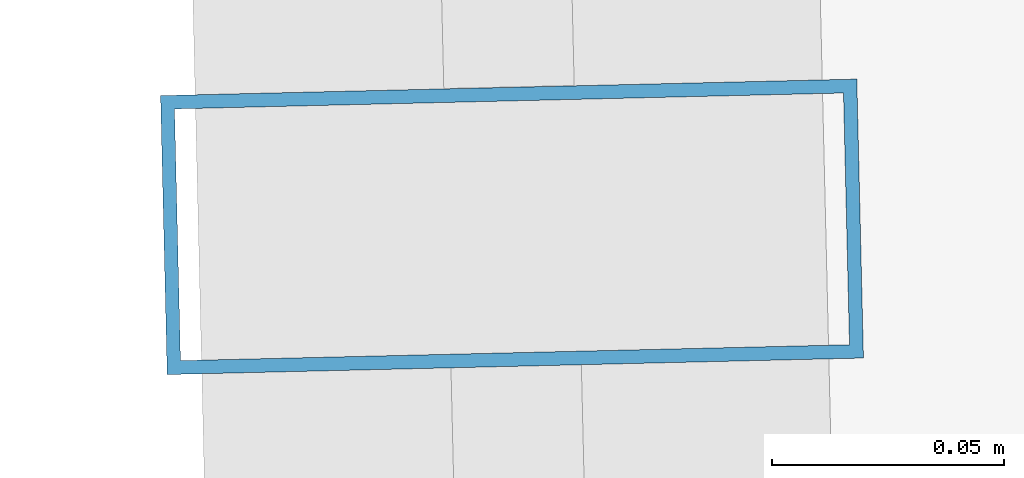
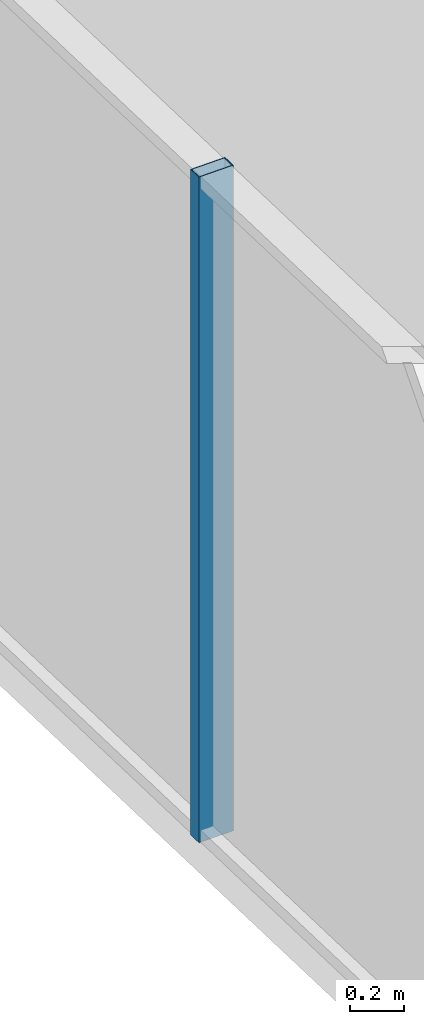
# One storey, part 12 of 32: 1 member, 1 element without a shape of its own.
"""IFC4 building model written with IfcOpenShell, lengths in metres."""

from ifc_helpers import new_model, si_unit, direction, frame, origin, origin_2d, place, context, subcontext, project, spatial, hollow_rectangle, extrude, source, transform, mapped, material, layer, layer_set, material_profile, profile_set, type_object, element, aggregate, save


model = new_model("IFC4")

# Units and contexts
model_context = context("Model", 3, precision=1e-05, world=origin(), true_north=direction((0.0, 1.0)))
body_context = subcontext(model_context, "Body", "Model", "MODEL_VIEW")
ifc_project = project(units=[si_unit("LENGTHUNIT", "METRE"), si_unit("AREAUNIT", "SQUARE_METRE"), si_unit("VOLUMEUNIT", "CUBIC_METRE"), si_unit("PLANEANGLEUNIT", "RADIAN"), si_unit("MASSUNIT", "GRAM", prefix="KILO")], contexts=[model_context])

# Site, building, storey
site_placement = place(None, origin())
site = spatial("IfcSite", under=ifc_project, at=site_placement, CompositionType="ELEMENT")
building_placement = place(site_placement, origin())
building = spatial("IfcBuilding", under=site, at=building_placement, Name="Veraguas Prism Commons", CompositionType="ELEMENT")
storey_placement = place(building_placement, frame((0.0, 0.0, 201.60009765625)))
storey = spatial("IfcBuildingStorey", under=building, at=storey_placement, Name="L57", CompositionType="ELEMENT", Elevation=201.60009765625)

# Curtain wall, member
ifc_material = material(Name="Anodised aluminium EN AW-6063 T6", Category="aluminium")
ifc_layer = layer(ifc_material, 0.14990234375, Name="Unitised Flush Curtain Wall Zone 3", Category="aluminium")
ifc_layer_set = layer_set([ifc_layer], Name="Anodised aluminium EN AW-6063 T6")
curtain_wall_type = type_object("IfcCurtainWallType", Name="Unitised Flush Curtain Wall Zone 3", PredefinedType="NOTDEFINED", material=ifc_layer_set)
curtain_wall_placement = place(storey_placement, origin())
curtain_wall = element("IfcCurtainWall", 1, at=curtain_wall_placement, inside=storey, type_object=curtain_wall_type, Name="Tower Facade Curtain Wall L57-F3", PredefinedType="NOTDEFINED")
ifc_material_profile = material_profile(ifc_material, hollow_rectangle(XDim=0.06005859375, YDim=0.14990234375, WallThickness=0.0029296875, at=origin_2d()), Name="AL60X150X3")
ifc_profile_set = profile_set([ifc_material_profile], Name="Anodised aluminium EN AW-6063 T6")
member_type = type_object("IfcMemberType", Name="Curtain Wall Mullion Upper AL 60x150x3", PredefinedType="MULLION", material=ifc_profile_set)
shared_shape = source(origin(), body_context, "Body", "SweptSolid", [
    extrude(hollow_rectangle(XDim=0.06005859375, YDim=0.14990234375, WallThickness=0.0029296875, at=origin_2d()), origin(), (0.0, 0.0, 1.0), 3.014892578125),
])
member_placement = place(storey_placement, frame((6.294677734375, 23.57958984375, 0.0), z_axis=(0.0, 0.0, 1.0), x_axis=(0.023737738629, -0.999718220182, 0.0)))
member = element("IfcMember", 2, at=member_placement, type_object=member_type, Name="CW-Z3 Mullion 3", PredefinedType="MULLION", context=body_context, shape_type="MappedRepresentation", body=[
    mapped(shared_shape, transform((0.0, 0.0, 0.0), scale=1.0)),
])
aggregate(curtain_wall, [member])

save(model, "model.ifc")
